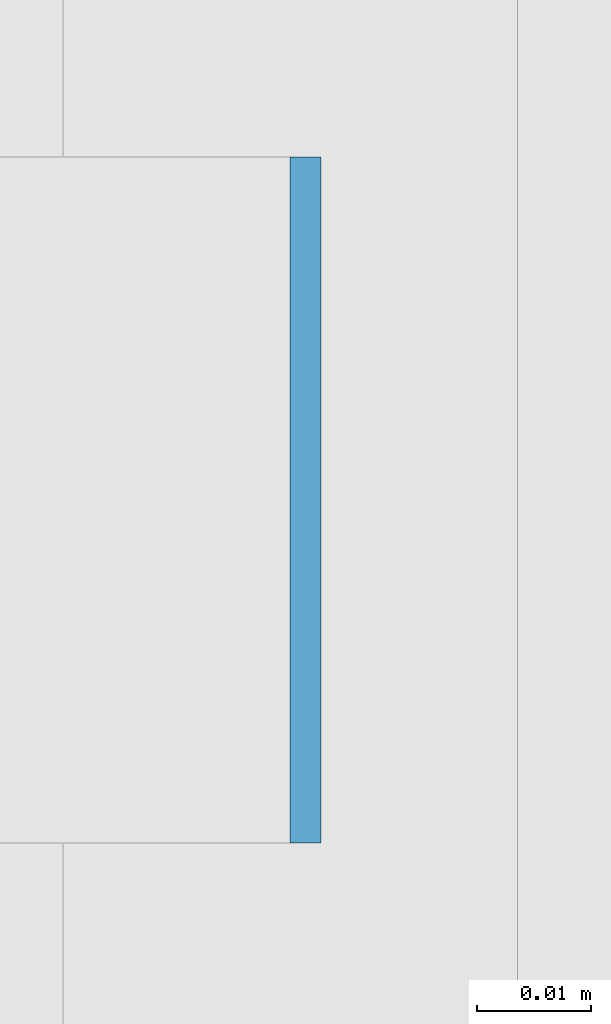
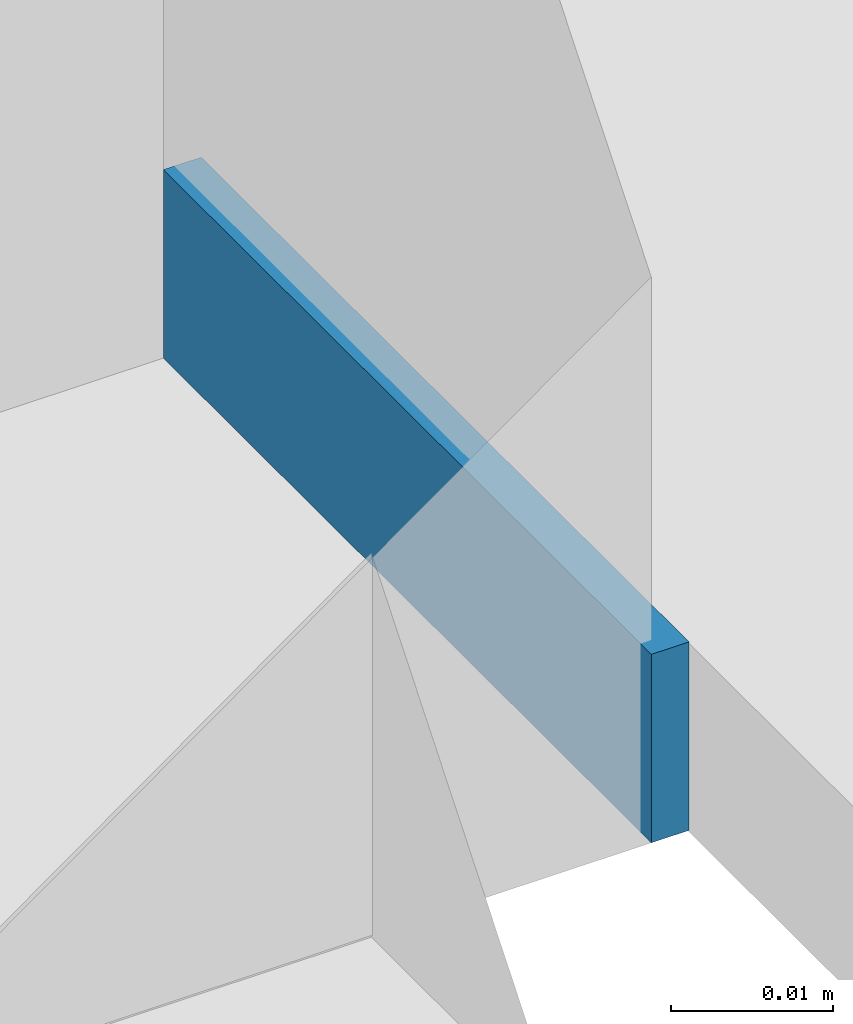
# One storey, part 386 of 646: 1 discrete accessory.
"""IFC4 building model written with IfcOpenShell, lengths in metres."""

from ifc_helpers import new_model, si_unit, direction, frame, origin, origin_2d, place, context, subcontext, project, spatial, rectangle, extrude, material, type_object, element, save


model = new_model("IFC4")

# Units and contexts
model_context = context("Model", 3, precision=1e-05, world=origin(), true_north=direction((0.0, 1.0)))
body_context = subcontext(model_context, "Body", "Model", "MODEL_VIEW")
ifc_project = project(units=[si_unit("LENGTHUNIT", "METRE"), si_unit("AREAUNIT", "SQUARE_METRE"), si_unit("VOLUMEUNIT", "CUBIC_METRE"), si_unit("PLANEANGLEUNIT", "RADIAN"), si_unit("MASSUNIT", "GRAM", prefix="KILO")], contexts=[model_context])

# Site, building, storey
site_placement = place(None, origin())
site = spatial("IfcSite", under=ifc_project, at=site_placement, CompositionType="ELEMENT")
building_placement = place(site_placement, origin())
building = spatial("IfcBuilding", under=site, at=building_placement, Name="Silverbay Arena", CompositionType="ELEMENT")
storey_placement = place(building_placement, frame((0.0, 0.0, 33.5)))
storey = spatial("IfcBuildingStorey", under=building, at=storey_placement, Name="L05", CompositionType="ELEMENT", Elevation=33.5)

# Discrete accessory
ifc_material = material(Name="Steel S355", Category="steel")
discrete_accessory_type = type_object("IfcDiscreteAccessoryType", Name="Steel bracket plate", PredefinedType="BRACKET", material=ifc_material)
discrete_accessory_placement = place(storey_placement, frame((53.871337890625, 110.571533203125, 4.0), z_axis=(0.0, 0.0, 1.0), x_axis=(1.0, 0.0, 0.0)))
element("IfcDiscreteAccessory", 1, at=discrete_accessory_placement, inside=storey, type_object=discrete_accessory_type, Name="Curtain wall packing plate", PredefinedType="BRACKET", context=body_context, shape_type="SweptSolid", body=[
    extrude(rectangle(XDim=0.002685546875, YDim=0.06005859375, at=origin_2d()), origin(), (0.0, 0.0, 1.0), 0.01416015625),
])

save(model, "model.ifc")
